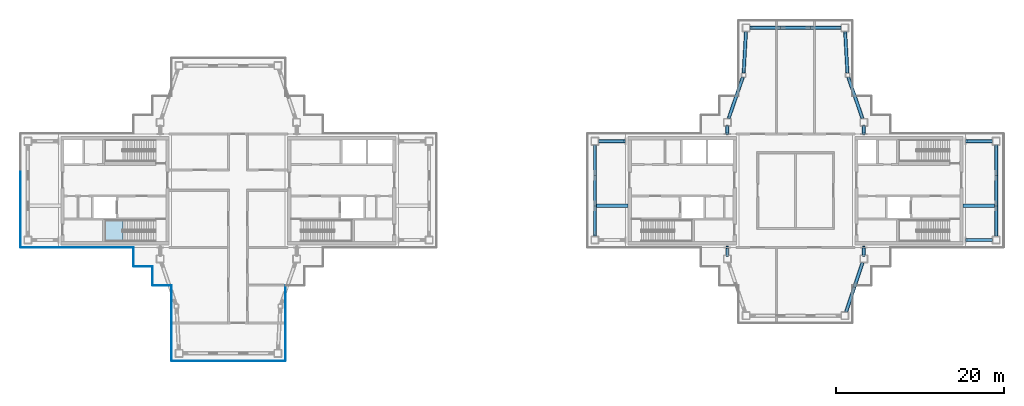
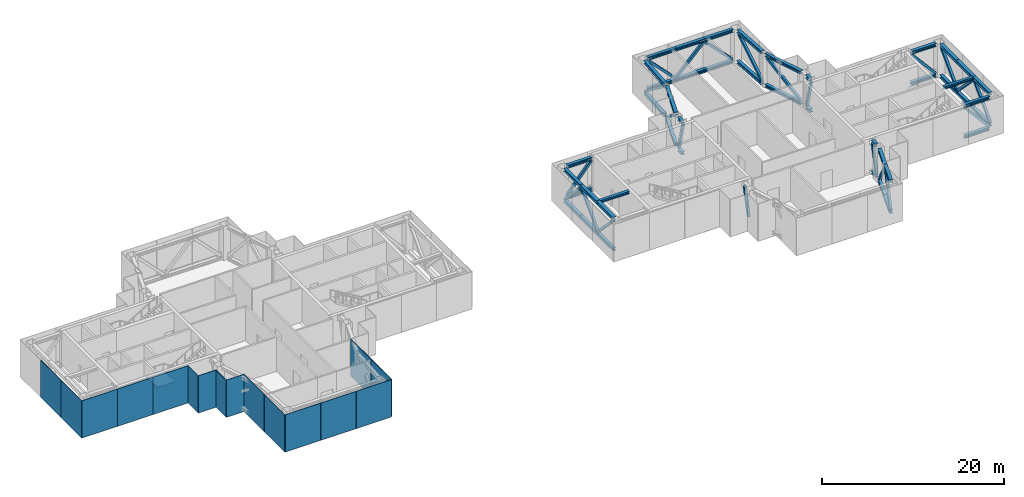
# One storey, part 4 of 18: 64 members, 16 plates, 2 beams, 1 slab, 8 elements without a shape of their own.
"""IFC4 building model written with IfcOpenShell, lengths in metres."""

from ifc_helpers import new_model, si_unit, direction, frame, origin, origin_2d, place, context, subcontext, project, spatial, polyline, rectangle, hollow_rectangle, i_section, outline, extrude, material, layer, layer_set, material_profile, profile_set, type_object, element, aggregate, save


model = new_model("IFC4")

# Units and contexts
model_context = context("Model", 3, precision=1e-05, world=origin(), true_north=direction((0.0, 1.0)))
body_context = subcontext(model_context, "Body", "Model", "MODEL_VIEW")
ifc_project = project(units=[si_unit("LENGTHUNIT", "METRE"), si_unit("AREAUNIT", "SQUARE_METRE"), si_unit("VOLUMEUNIT", "CUBIC_METRE"), si_unit("PLANEANGLEUNIT", "RADIAN"), si_unit("MASSUNIT", "GRAM", prefix="KILO")], contexts=[model_context])

# Site, building, storey
site_placement = place(None, origin())
site = spatial("IfcSite", under=ifc_project, at=site_placement, CompositionType="ELEMENT")
building_placement = place(site_placement, origin())
building = spatial("IfcBuilding", under=site, at=building_placement, Name="Shamsa Quay Exchange Towers", CompositionType="ELEMENT")
storey_placement = place(building_placement, frame((0.0, 0.0, 273.300048828125)))
storey = spatial("IfcBuildingStorey", under=building, at=storey_placement, Name="L66", CompositionType="ELEMENT", Elevation=273.300048828125)

# Members
ifc_material_1 = material(Name="Steel S355", Category="steel")
ifc_material_profile_1 = material_profile(ifc_material_1, i_section(OverallWidth=0.40625, OverallDepth=0.416015625, WebThickness=0.02978515625, FlangeThickness=0.048095703125, at=origin_2d()), Name="W14x257")
ifc_profile_set_1 = profile_set([ifc_material_profile_1], Name="Steel S355")
member_type_1 = type_object("IfcMemberType", Name="Belt chord W14x257", PredefinedType="CHORD", material=ifc_profile_set_1)
for number, where, z_axis, x_axis, name in (
    (1, (39.77490234375, -14.425048828125, 4.341796875), (0.316251520413, 0.948675379588, 0.0), (-0.948675379588, 0.316251520413, 0.0), "Belt truss chord T2 L66 5"),
    (2, (39.77490234375, -14.425048828125, 0.2080078125), (0.316251520413, 0.948675379588, 0.0), (-0.948675379588, 0.316251520413, 0.0), "Belt truss chord T2 L66 5"),
    (3, (40.75, -11.5, 4.341796875), (0.316251520413, 0.948675379588, 0.0), (-0.948675379588, 0.316251520413, 0.0), "Belt truss chord T2 L66 5"),
    (4, (40.75, -11.5, 0.2080078125), (0.316251520413, 0.948675379588, 0.0), (-0.948675379588, 0.316251520413, 0.0), "Belt truss chord T2 L66 5"),
):
    element("IfcMember", number, at=place(storey_placement, frame(where, z_axis=z_axis, x_axis=x_axis)), inside=storey, type_object=member_type_1, Name=name, PredefinedType="CHORD", context=body_context, shape_type="SweptSolid", body=[
        extrude(i_section(OverallWidth=0.40625, OverallDepth=0.416015625, WebThickness=0.02978515625, FlangeThickness=0.048095703125, at=origin_2d()), origin(), (0.0, 0.0, 1.0), 3.083251953125),
    ])
for number, where, z_axis, x_axis, name in (
    (5, (57.625, -5.425048828125, 4.341796875), (0.0, 1.0, 0.0), (-1.0, 0.0, 0.0), "Belt truss chord T2 L66 8"),
    (6, (57.625, -5.425048828125, 0.2080078125), (0.0, 1.0, 0.0), (-1.0, 0.0, 0.0), "Belt truss chord T2 L66 8"),
    (7, (57.625, -1.808349609375, 4.341796875), (0.0, 1.0, 0.0), (-1.0, 0.0, 0.0), "Belt truss chord T2 L66 8"),
    (8, (57.625, -1.808349609375, 0.2080078125), (0.0, 1.0, 0.0), (-1.0, 0.0, 0.0), "Belt truss chord T2 L66 8"),
    (9, (57.625, 1.808349609375, 4.341796875), (0.0, 1.0, 0.0), (-1.0, 0.0, 0.0), "Belt truss chord T2 L66 8"),
    (10, (57.625, 1.808349609375, 0.2080078125), (0.0, 1.0, 0.0), (-1.0, 0.0, 0.0), "Belt truss chord T2 L66 8"),
):
    element("IfcMember", number, at=place(storey_placement, frame(where, z_axis=z_axis, x_axis=x_axis)), inside=storey, type_object=member_type_1, Name=name, PredefinedType="CHORD", context=body_context, shape_type="SweptSolid", body=[
        extrude(i_section(OverallWidth=0.40625, OverallDepth=0.416015625, WebThickness=0.02978515625, FlangeThickness=0.048095703125, at=origin_2d()), origin(), (0.0, 0.0, 1.0), 3.61669921875),
    ])
for number, where, z_axis, x_axis, name in (
    (11, (41.719970703125, 8.574951171875, 4.341796875), (-0.32564688822, 0.945491461724, 0.0), (-0.945491461724, -0.32564688822, 0.0), "Belt truss chord T2 L66 11"),
    (12, (41.719970703125, 8.574951171875, 0.2080078125), (-0.32564688822, 0.945491461724, 0.0), (-0.945491461724, -0.32564688822, 0.0), "Belt truss chord T2 L66 11"),
):
    element("IfcMember", number, at=place(storey_placement, frame(where, z_axis=z_axis, x_axis=x_axis)), inside=storey, type_object=member_type_1, Name=name, PredefinedType="CHORD", context=body_context, shape_type="SweptSolid", body=[
        extrude(i_section(OverallWidth=0.40625, OverallDepth=0.416015625, WebThickness=0.02978515625, FlangeThickness=0.048095703125, at=origin_2d()), origin(), (0.0, 0.0, 1.0), 5.208984375),
    ])
for number, where, z_axis, x_axis, name in (
    (13, (39.923583984375, 14.0, 4.341796875), (-0.055483725883, 0.998459591652, 0.0), (-0.998459591652, -0.055483725883, 0.0), "Belt truss chord T2 L66 12"),
    (14, (39.923583984375, 14.0, 0.2080078125), (-0.055483725883, 0.998459591652, 0.0), (-0.998459591652, -0.055483725883, 0.0), "Belt truss chord T2 L66 12"),
):
    element("IfcMember", number, at=place(storey_placement, frame(where, z_axis=z_axis, x_axis=x_axis)), inside=storey, type_object=member_type_1, Name=name, PredefinedType="CHORD", context=body_context, shape_type="SweptSolid", body=[
        extrude(i_section(OverallWidth=0.40625, OverallDepth=0.416015625, WebThickness=0.02978515625, FlangeThickness=0.048095703125, at=origin_2d()), origin(), (0.0, 0.0, 1.0), 4.9326171875),
    ])
for number, where, z_axis, x_axis, name in (
    (15, (39.175048828125, 19.375, 4.341796875), (-1.0, 0.0, 0.0), (0.0, -1.0, 0.0), "Belt truss chord T2 L66 13"),
    (16, (39.175048828125, 19.375, 0.2080078125), (-1.0, 0.0, 0.0), (0.0, -1.0, 0.0), "Belt truss chord T2 L66 13"),
    (17, (35.558349609375, 19.375, 4.341796875), (-1.0, 0.0, 0.0), (0.0, -1.0, 0.0), "Belt truss chord T2 L66 13"),
    (18, (35.558349609375, 19.375, 0.2080078125), (-1.0, 0.0, 0.0), (0.0, -1.0, 0.0), "Belt truss chord T2 L66 13"),
    (19, (31.941650390625, 19.375, 4.341796875), (-1.0, 0.0, 0.0), (0.0, -1.0, 0.0), "Belt truss chord T2 L66 13"),
    (20, (31.941650390625, 19.375, 0.2080078125), (-1.0, 0.0, 0.0), (0.0, -1.0, 0.0), "Belt truss chord T2 L66 13"),
):
    element("IfcMember", number, at=place(storey_placement, frame(where, z_axis=z_axis, x_axis=x_axis)), inside=storey, type_object=member_type_1, Name=name, PredefinedType="CHORD", context=body_context, shape_type="SweptSolid", body=[
        extrude(i_section(OverallWidth=0.40625, OverallDepth=0.416015625, WebThickness=0.02978515625, FlangeThickness=0.048095703125, at=origin_2d()), origin(), (0.0, 0.0, 1.0), 3.61669921875),
    ])
for number, where, z_axis, x_axis, name in (
    (21, (27.85009765625, 18.925048828125, 4.341796875), (-0.055483725883, -0.998459591652, 0.0), (0.998459591652, -0.055483725883, 0.0), "Belt truss chord T2 L66 14"),
    (22, (27.85009765625, 18.925048828125, 0.2080078125), (-0.055483725883, -0.998459591652, 0.0), (0.998459591652, -0.055483725883, 0.0), "Belt truss chord T2 L66 14"),
):
    element("IfcMember", number, at=place(storey_placement, frame(where, z_axis=z_axis, x_axis=x_axis)), inside=storey, type_object=member_type_1, Name=name, PredefinedType="CHORD", context=body_context, shape_type="SweptSolid", body=[
        extrude(i_section(OverallWidth=0.40625, OverallDepth=0.416015625, WebThickness=0.02978515625, FlangeThickness=0.048095703125, at=origin_2d()), origin(), (0.0, 0.0, 1.0), 4.9326171875),
    ])
for number, where, z_axis, x_axis, name in (
    (23, (27.476318359375, 13.5, 4.341796875), (-0.32564688822, -0.945491461724, 0.0), (0.945491461724, -0.32564688822, 0.0), "Belt truss chord T2 L66 15"),
    (24, (27.476318359375, 13.5, 0.2080078125), (-0.32564688822, -0.945491461724, 0.0), (0.945491461724, -0.32564688822, 0.0), "Belt truss chord T2 L66 15"),
):
    element("IfcMember", number, at=place(storey_placement, frame(where, z_axis=z_axis, x_axis=x_axis)), inside=storey, type_object=member_type_1, Name=name, PredefinedType="CHORD", context=body_context, shape_type="SweptSolid", body=[
        extrude(i_section(OverallWidth=0.40625, OverallDepth=0.416015625, WebThickness=0.02978515625, FlangeThickness=0.048095703125, at=origin_2d()), origin(), (0.0, 0.0, 1.0), 5.208984375),
    ])
for number, where, z_axis, x_axis, name in (
    (25, (9.875, 5.425048828125, 4.341796875), (0.0, -1.0, 0.0), (1.0, 0.0, 0.0), "Belt truss chord T2 L66 18"),
    (26, (9.875, 5.425048828125, 0.2080078125), (0.0, -1.0, 0.0), (1.0, 0.0, 0.0), "Belt truss chord T2 L66 18"),
    (27, (9.875, 1.808349609375, 4.341796875), (0.0, -1.0, 0.0), (1.0, 0.0, 0.0), "Belt truss chord T2 L66 18"),
    (28, (9.875, 1.808349609375, 0.2080078125), (0.0, -1.0, 0.0), (1.0, 0.0, 0.0), "Belt truss chord T2 L66 18"),
    (29, (9.875, -1.808349609375, 4.341796875), (0.0, -1.0, 0.0), (1.0, 0.0, 0.0), "Belt truss chord T2 L66 18"),
    (30, (9.875, -1.808349609375, 0.2080078125), (0.0, -1.0, 0.0), (1.0, 0.0, 0.0), "Belt truss chord T2 L66 18"),
):
    element("IfcMember", number, at=place(storey_placement, frame(where, z_axis=z_axis, x_axis=x_axis)), inside=storey, type_object=member_type_1, Name=name, PredefinedType="CHORD", context=body_context, shape_type="SweptSolid", body=[
        extrude(i_section(OverallWidth=0.40625, OverallDepth=0.416015625, WebThickness=0.02978515625, FlangeThickness=0.048095703125, at=origin_2d()), origin(), (0.0, 0.0, 1.0), 3.61669921875),
    ])
ifc_material_profile_2 = material_profile(ifc_material_1, hollow_rectangle(XDim=0.3046875, YDim=0.3046875, WallThickness=0.0126953125, at=origin_2d()), Name="HSS12x12x1/2")
ifc_profile_set_2 = profile_set([ifc_material_profile_2], Name="Steel S355")
member_type_2 = type_object("IfcMemberType", Name="Belt diagonal HSS12x12x1/2", PredefinedType="BRACE", material=ifc_profile_set_2)
for number, where, z_axis, x_axis, name in (
    (31, (39.800537109375, -14.348388671875, 0.513427734375), (0.20184189076, 0.605579013161, 0.769762242484), (-0.948691654027, 0.316202696982, 0.0), "Belt truss diagonal T2 L66 5"),
    (32, (41.699462890625, -8.651611328125, 0.513427734375), (-0.20184189076, -0.605579013161, 0.769762242484), (0.948691654027, -0.316202696982, 0.0), "Belt truss diagonal T2 L66 5"),
):
    element("IfcMember", number, at=place(storey_placement, frame(where, z_axis=z_axis, x_axis=x_axis)), inside=storey, type_object=member_type_2, Name=name, PredefinedType="BRACE", context=body_context, shape_type="SweptSolid", body=[
        extrude(hollow_rectangle(XDim=0.3046875, YDim=0.3046875, WallThickness=0.0126953125, at=origin_2d()), origin(), (0.0, 0.0, 1.0), 4.576904296875),
    ])
for number, where, z_axis, x_axis, name in (
    (33, (57.625, -5.321533203125, 0.522216796875), (0.0, 0.697279405887, 0.716799435077), (-1.0, 0.0, 0.0), "Belt truss diagonal T2 L66 8"),
    (34, (57.625, 1.705078125, 0.522216796875), (0.0, -0.697305055235, 0.716774483324), (1.0, 0.0, 0.0), "Belt truss diagonal T2 L66 8"),
    (35, (57.625, 1.91162109375, 0.522216796875), (0.0, 0.697279405887, 0.716799435077), (-1.0, 0.0, 0.0), "Belt truss diagonal T2 L66 8"),
):
    element("IfcMember", number, at=place(storey_placement, frame(where, z_axis=z_axis, x_axis=x_axis)), inside=storey, type_object=member_type_2, Name=name, PredefinedType="BRACE", context=body_context, shape_type="SweptSolid", body=[
        extrude(hollow_rectangle(XDim=0.3046875, YDim=0.3046875, WallThickness=0.0126953125, at=origin_2d()), origin(), (0.0, 0.0, 1.0), 4.890380859375),
    ])
member_1_placement = place(storey_placement, frame((41.663330078125, 8.7392578125, 0.5400390625), z_axis=(-0.265044319858, 0.769585041637, 0.580939215581), x_axis=(-0.94549779592, -0.325628496773, 0.0)))
element("IfcMember", 36, at=member_1_placement, inside=storey, type_object=member_type_2, Name="Belt truss diagonal T2 L66 11", PredefinedType="BRACE", context=body_context, shape_type="SweptSolid", body=[
    extrude(hollow_rectangle(XDim=0.3046875, YDim=0.3046875, WallThickness=0.0126953125, at=origin_2d()), origin(), (0.0, 0.0, 1.0), 5.97265625),
])
member_2_placement = place(storey_placement, frame((39.91455078125, 14.1611328125, 0.537841796875), z_axis=(-0.044282768732, 0.797343606615, 0.601898836502), x_axis=(-0.998461330832, -0.055452419551, 0.0)))
element("IfcMember", 37, at=member_2_placement, inside=storey, type_object=member_type_2, Name="Belt truss diagonal T2 L66 12", PredefinedType="BRACE", context=body_context, shape_type="SweptSolid", body=[
    extrude(hollow_rectangle(XDim=0.3046875, YDim=0.3046875, WallThickness=0.0126953125, at=origin_2d()), origin(), (0.0, 0.0, 1.0), 5.7724609375),
])
for number, where, z_axis, x_axis, name in (
    (38, (39.071533203125, 19.375, 0.522216796875), (-0.697279405887, 0.0, 0.716799435077), (0.0, -1.0, 0.0), "Belt truss diagonal T2 L66 13"),
    (39, (32.044921875, 19.375, 0.522216796875), (0.697305055235, 0.0, 0.716774483324), (0.0, 1.0, 0.0), "Belt truss diagonal T2 L66 13"),
    (40, (31.83837890625, 19.375, 0.522216796875), (-0.697279405887, 0.0, 0.716799435077), (0.0, -1.0, 0.0), "Belt truss diagonal T2 L66 13"),
):
    element("IfcMember", number, at=place(storey_placement, frame(where, z_axis=z_axis, x_axis=x_axis)), inside=storey, type_object=member_type_2, Name=name, PredefinedType="BRACE", context=body_context, shape_type="SweptSolid", body=[
        extrude(hollow_rectangle(XDim=0.3046875, YDim=0.3046875, WallThickness=0.0126953125, at=origin_2d()), origin(), (0.0, 0.0, 1.0), 4.890380859375),
    ])
member_3_placement = place(storey_placement, frame((27.841064453125, 18.763671875, 0.537841796875), z_axis=(-0.044282768732, -0.797343606615, 0.601898836502), x_axis=(0.998461330832, -0.055452419551, 0.0)))
element("IfcMember", 41, at=member_3_placement, inside=storey, type_object=member_type_2, Name="Belt truss diagonal T2 L66 14", PredefinedType="BRACE", context=body_context, shape_type="SweptSolid", body=[
    extrude(hollow_rectangle(XDim=0.3046875, YDim=0.3046875, WallThickness=0.0126953125, at=origin_2d()), origin(), (0.0, 0.0, 1.0), 5.7724609375),
])
member_4_placement = place(storey_placement, frame((27.419677734375, 13.335693359375, 0.5400390625), z_axis=(-0.265044319858, -0.769585041637, 0.580939215581), x_axis=(0.94549779592, -0.325628496773, 0.0)))
element("IfcMember", 42, at=member_4_placement, inside=storey, type_object=member_type_2, Name="Belt truss diagonal T2 L66 15", PredefinedType="BRACE", context=body_context, shape_type="SweptSolid", body=[
    extrude(hollow_rectangle(XDim=0.3046875, YDim=0.3046875, WallThickness=0.0126953125, at=origin_2d()), origin(), (0.0, 0.0, 1.0), 5.97265625),
])
for number, where, z_axis, x_axis, name in (
    (43, (9.875, 5.321533203125, 0.522216796875), (0.0, -0.697279405887, 0.716799435077), (1.0, 0.0, 0.0), "Belt truss diagonal T2 L66 18"),
    (44, (9.875, -1.705078125, 0.522216796875), (0.0, 0.697305055235, 0.716774483324), (-1.0, 0.0, 0.0), "Belt truss diagonal T2 L66 18"),
    (45, (9.875, -1.91162109375, 0.522216796875), (0.0, -0.697279405887, 0.716799435077), (1.0, 0.0, 0.0), "Belt truss diagonal T2 L66 18"),
):
    element("IfcMember", number, at=place(storey_placement, frame(where, z_axis=z_axis, x_axis=x_axis)), inside=storey, type_object=member_type_2, Name=name, PredefinedType="BRACE", context=body_context, shape_type="SweptSolid", body=[
        extrude(hollow_rectangle(XDim=0.3046875, YDim=0.3046875, WallThickness=0.0126953125, at=origin_2d()), origin(), (0.0, 0.0, 1.0), 4.890380859375),
    ])

# Beams
ifc_material_profile_3 = material_profile(ifc_material_1, i_section(OverallWidth=0.368896484375, OverallDepth=0.356201171875, WebThickness=0.01123046875, FlangeThickness=0.01806640625, at=origin_2d()), Name="W14x90")
ifc_profile_set_3 = profile_set([ifc_material_profile_3], Name="Steel S355")
beam_type = type_object("IfcBeamType", Name="End-zone beam W14x90", PredefinedType="BEAM", material=ifc_profile_set_3)
for number, where, z_axis, x_axis, name in (
    (46, (13.800048828125, -1.800048828125, 4.371826171875), (-1.0, 0.0, 0.0), (0.0, -1.0, 0.0), "Spine beam T2 V+ end zone L66"),
    (47, (53.699951171875, -1.800048828125, 4.371826171875), (1.0, 0.0, 0.0), (0.0, 1.0, 0.0), "Spine beam T2 V- end zone L66"),
):
    element("IfcBeam", number, at=place(storey_placement, frame(where, z_axis=z_axis, x_axis=x_axis)), inside=storey, type_object=beam_type, Name=name, PredefinedType="BEAM", context=body_context, shape_type="SweptSolid", body=[
        extrude(i_section(OverallWidth=0.368896484375, OverallDepth=0.356201171875, WebThickness=0.01123046875, FlangeThickness=0.01806640625, at=origin_2d()), origin(), (0.0, 0.0, 1.0), 3.721923828125),
    ])

# Members
ifc_material_profile_4 = material_profile(ifc_material_1, i_section(OverallWidth=0.40625, OverallDepth=0.416015625, WebThickness=0.02978515625, FlangeThickness=0.048095703125, at=origin_2d()), Name="W14x257")
ifc_profile_set_4 = profile_set([ifc_material_profile_4], Name="Steel S355")
member_type_3 = type_object("IfcMemberType", Name="Outrigger chord W14x257", PredefinedType="CHORD", material=ifc_profile_set_4)
for number, where, z_axis, x_axis, name in (
    (48, (41.875, -7.675048828125, 4.341796875), (0.0, 1.0, 0.0), (-1.0, 0.0, 0.0), "Outrigger truss chord T2 L66 6"),
    (49, (41.875, -7.675048828125, 0.2080078125), (0.0, 1.0, 0.0), (-1.0, 0.0, 0.0), "Outrigger truss chord T2 L66 6"),
):
    element("IfcMember", number, at=place(storey_placement, frame(where, z_axis=z_axis, x_axis=x_axis)), inside=storey, type_object=member_type_3, Name=name, PredefinedType="CHORD", context=body_context, shape_type="SweptSolid", body=[
        extrude(i_section(OverallWidth=0.40625, OverallDepth=0.416015625, WebThickness=0.02978515625, FlangeThickness=0.048095703125, at=origin_2d()), origin(), (0.0, 0.0, 1.0), 0.925048828125),
    ])
for number, where, z_axis, x_axis, name in (
    (50, (57.175048828125, -5.875, 4.341796875), (-1.0, 0.0, 0.0), (0.0, -1.0, 0.0), "Outrigger truss chord T2 L66 7"),
    (51, (57.175048828125, -5.875, 0.2080078125), (-1.0, 0.0, 0.0), (0.0, -1.0, 0.0), "Outrigger truss chord T2 L66 7"),
    (52, (57.175048828125, 5.875, 4.341796875), (-1.0, 0.0, 0.0), (0.0, -1.0, 0.0), "Outrigger truss chord T2 L66 9"),
    (53, (57.175048828125, 5.875, 0.2080078125), (-1.0, 0.0, 0.0), (0.0, -1.0, 0.0), "Outrigger truss chord T2 L66 9"),
):
    element("IfcMember", number, at=place(storey_placement, frame(where, z_axis=z_axis, x_axis=x_axis)), inside=storey, type_object=member_type_3, Name=name, PredefinedType="CHORD", context=body_context, shape_type="SweptSolid", body=[
        extrude(i_section(OverallWidth=0.40625, OverallDepth=0.416015625, WebThickness=0.02978515625, FlangeThickness=0.048095703125, at=origin_2d()), origin(), (0.0, 0.0, 1.0), 3.175048828125),
    ])
for number, where, z_axis, x_axis, name in (
    (54, (41.875, 7.675048828125, 4.341796875), (0.0, -1.0, 0.0), (1.0, 0.0, 0.0), "Outrigger truss chord T2 L66 10"),
    (55, (41.875, 7.675048828125, 0.2080078125), (0.0, -1.0, 0.0), (1.0, 0.0, 0.0), "Outrigger truss chord T2 L66 10"),
    (56, (25.625, 7.675048828125, 4.341796875), (0.0, -1.0, 0.0), (1.0, 0.0, 0.0), "Outrigger truss chord T2 L66 16"),
    (57, (25.625, 7.675048828125, 0.2080078125), (0.0, -1.0, 0.0), (1.0, 0.0, 0.0), "Outrigger truss chord T2 L66 16"),
):
    element("IfcMember", number, at=place(storey_placement, frame(where, z_axis=z_axis, x_axis=x_axis)), inside=storey, type_object=member_type_3, Name=name, PredefinedType="CHORD", context=body_context, shape_type="SweptSolid", body=[
        extrude(i_section(OverallWidth=0.40625, OverallDepth=0.416015625, WebThickness=0.02978515625, FlangeThickness=0.048095703125, at=origin_2d()), origin(), (0.0, 0.0, 1.0), 0.925048828125),
    ])
for number, where, z_axis, x_axis, name in (
    (58, (10.324951171875, 5.875, 4.341796875), (1.0, 0.0, 0.0), (0.0, 1.0, 0.0), "Outrigger truss chord T2 L66 17"),
    (59, (10.324951171875, 5.875, 0.2080078125), (1.0, 0.0, 0.0), (0.0, 1.0, 0.0), "Outrigger truss chord T2 L66 17"),
):
    element("IfcMember", number, at=place(storey_placement, frame(where, z_axis=z_axis, x_axis=x_axis)), inside=storey, type_object=member_type_3, Name=name, PredefinedType="CHORD", context=body_context, shape_type="SweptSolid", body=[
        extrude(i_section(OverallWidth=0.40625, OverallDepth=0.416015625, WebThickness=0.02978515625, FlangeThickness=0.048095703125, at=origin_2d()), origin(), (0.0, 0.0, 1.0), 3.175048828125),
    ])
ifc_material_profile_5 = material_profile(ifc_material_1, hollow_rectangle(XDim=0.3046875, YDim=0.3046875, WallThickness=0.0126953125, at=origin_2d()), Name="HSS12x12x1/2")
ifc_profile_set_5 = profile_set([ifc_material_profile_5], Name="Steel S355")
member_type_4 = type_object("IfcMemberType", Name="Outrigger diagonal HSS12x12x1/2", PredefinedType="BRACE", material=ifc_profile_set_5)
for number, where, z_axis, x_axis, name in (
    (60, (25.625, -7.665771484375, 0.452880859375), (0.0, 0.24144941342, 0.970413407141), (-1.0, 0.0, 0.0), "Outrigger truss diagonal T2 L66 2"),
    (61, (41.875, -7.665771484375, 0.452880859375), (0.0, 0.24144941342, 0.970413407141), (-1.0, 0.0, 0.0), "Outrigger truss diagonal T2 L66 6"),
):
    element("IfcMember", number, at=place(storey_placement, frame(where, z_axis=z_axis, x_axis=x_axis)), inside=storey, type_object=member_type_4, Name=name, PredefinedType="BRACE", context=body_context, shape_type="SweptSolid", body=[
        extrude(hollow_rectangle(XDim=0.3046875, YDim=0.3046875, WallThickness=0.0126953125, at=origin_2d()), origin(), (0.0, 0.0, 1.0), 3.75537109375),
    ])
for number, where, z_axis, x_axis, name in (
    (62, (57.090576171875, -5.875, 0.51513671875), (-0.64943947107, 0.0, 0.760413291189), (0.0, -1.0, 0.0), "Outrigger truss diagonal T2 L66 7"),
    (63, (57.090576171875, 5.875, 0.51513671875), (-0.64943947107, 0.0, 0.760413291189), (0.0, -1.0, 0.0), "Outrigger truss diagonal T2 L66 9"),
):
    element("IfcMember", number, at=place(storey_placement, frame(where, z_axis=z_axis, x_axis=x_axis)), inside=storey, type_object=member_type_4, Name=name, PredefinedType="BRACE", context=body_context, shape_type="SweptSolid", body=[
        extrude(hollow_rectangle(XDim=0.3046875, YDim=0.3046875, WallThickness=0.0126953125, at=origin_2d()), origin(), (0.0, 0.0, 1.0), 4.628662109375),
    ])
for number, where, z_axis, x_axis, name in (
    (64, (41.875, 7.665771484375, 0.452880859375), (0.0, -0.24144941342, 0.970413407141), (1.0, 0.0, 0.0), "Outrigger truss diagonal T2 L66 10"),
    (65, (25.625, 7.665771484375, 0.452880859375), (0.0, -0.24144941342, 0.970413407141), (1.0, 0.0, 0.0), "Outrigger truss diagonal T2 L66 16"),
):
    element("IfcMember", number, at=place(storey_placement, frame(where, z_axis=z_axis, x_axis=x_axis)), inside=storey, type_object=member_type_4, Name=name, PredefinedType="BRACE", context=body_context, shape_type="SweptSolid", body=[
        extrude(hollow_rectangle(XDim=0.3046875, YDim=0.3046875, WallThickness=0.0126953125, at=origin_2d()), origin(), (0.0, 0.0, 1.0), 3.75537109375),
    ])
member_5_placement = place(storey_placement, frame((10.409423828125, 5.875, 0.51513671875), z_axis=(0.64943947107, 0.0, 0.760413291189), x_axis=(0.0, 1.0, 0.0)))
element("IfcMember", 66, at=member_5_placement, inside=storey, type_object=member_type_4, Name="Outrigger truss diagonal T2 L66 17", PredefinedType="BRACE", context=body_context, shape_type="SweptSolid", body=[
    extrude(hollow_rectangle(XDim=0.3046875, YDim=0.3046875, WallThickness=0.0126953125, at=origin_2d()), origin(), (0.0, 0.0, 1.0), 4.628662109375),
])

# Stair, slab
ifc_material_2 = material(Name="Concrete C40/50", Category="concrete")
stair_type = type_object("IfcStairType", Name="EXIT STAIR 30 RISERS 167 MM", PredefinedType="HALF_TURN_STAIR", material=ifc_material_2)
stair_placement = place(storey_placement, origin())
stair = element("IfcStair", 67, at=stair_placement, inside=storey, type_object=stair_type, Name="L66 Exit stair ST2", PredefinedType="HALF_TURN_STAIR")
ifc_layer_1 = layer(ifc_material_2, 0.199951171875)
ifc_layer_set_1 = layer_set([ifc_layer_1], Name="CORE STAIR LANDING")
slab_type = type_object("IfcSlabType", Name="CORE STAIR LANDING", PredefinedType="LANDING", material=ifc_layer_set_1)
slab_placement = place(storey_placement, frame((0.0, 0.0, 2.300048828125)))
slab = element("IfcSlab", 68, at=slab_placement, type_object=slab_type, Name="ST2 landing 1", PredefinedType="LANDING", context=body_context, shape_type="SweptSolid", body=[
    extrude(outline(polyline([(-46.320068359375, -3.5), (-48.5, -3.5), (-48.5, -6.050048828125), (-46.320068359375, -6.050048828125), (-46.320068359375, -3.5)])), origin(), (0.0, 0.0, 1.0), 0.199951171875),
])
aggregate(stair, [slab])

# Curtain wall, plates
ifc_material_3 = material(Name="Aluminium EN AW-6063 T6, black anodised", Category="aluminium")
ifc_layer_2 = layer(ifc_material_3, 0.320068359375)
ifc_layer_set_2 = layer_set([ifc_layer_2], Name="CW-7 BELT-LEVEL LOUVRE PANEL WALL")
curtain_wall_type = type_object("IfcCurtainWallType", Name="CW-7 BELT-LEVEL LOUVRE PANEL WALL", PredefinedType="NOTDEFINED", material=ifc_layer_set_2)
curtain_wall_1_placement = place(storey_placement, origin())
curtain_wall_1 = element("IfcCurtainWall", 69, at=curtain_wall_1_placement, inside=storey, type_object=curtain_wall_type, Name="CW7 T1-FLK-V-W L66", PredefinedType="NOTDEFINED")
ifc_material_4 = material(Name="Aluminium louvre panel, black anodised, with insulated fire-rated backing", Category="aluminium")
ifc_layer_3 = layer(ifc_material_4, 0.06005859375)
ifc_layer_set_3 = layer_set([ifc_layer_3], Name="CW-7 LOUVRE PANEL 60")
plate_type = type_object("IfcPlateType", Name="CW-7 LOUVRE PANEL 60", PredefinedType="CURTAIN_PANEL", material=ifc_layer_set_3)
plate_1_placement = place(storey_placement, frame((-40.530029296875, -13.5439453125, -0.35009765625), z_axis=(0.0, 0.0, 1.0), x_axis=(0.0, -1.0, 0.0)))
plate_1 = element("IfcPlate", 70, at=plate_1_placement, type_object=plate_type, Name="CW7 glass panel", PredefinedType="CURTAIN_PANEL", context=body_context, shape_type="SweptSolid", body=[
    extrude(rectangle(XDim=4.464111328125, YDim=0.06005859375, at=origin_2d()), origin(), (0.0, 0.0, 1.0), 5.0),
])
plate_2_placement = place(storey_placement, frame((-40.530029296875, -18.01806640625, -0.35009765625), z_axis=(0.0, 0.0, 1.0), x_axis=(0.0, -1.0, 0.0)))
plate_2 = element("IfcPlate", 71, at=plate_2_placement, type_object=plate_type, Name="CW7 glass panel", PredefinedType="CURTAIN_PANEL", context=body_context, shape_type="SweptSolid", body=[
    extrude(rectangle(XDim=4.464111328125, YDim=0.06005859375, at=origin_2d()), origin(), (0.0, 0.0, 1.0), 5.0),
])
aggregate(curtain_wall_1, [plate_1, plate_2])

curtain_wall_2_placement = place(storey_placement, origin())
curtain_wall_2 = element("IfcCurtainWall", 72, at=curtain_wall_2_placement, inside=storey, type_object=curtain_wall_type, Name="CW7 T1-END-V- L66", PredefinedType="NOTDEFINED")
plate_3_placement = place(storey_placement, frame((-38.25244140625, -20.280029296875, -0.35009765625)))
plate_3 = element("IfcPlate", 73, at=plate_3_placement, type_object=plate_type, Name="CW7 glass panel", PredefinedType="CURTAIN_PANEL", context=body_context, shape_type="SweptSolid", body=[
    extrude(rectangle(XDim=4.4951171875, YDim=0.06005859375, at=origin_2d()), origin(), (0.0, 0.0, 1.0), 5.0),
])
plate_4_placement = place(storey_placement, frame((-33.75, -20.280029296875, -0.35009765625)))
plate_4 = element("IfcPlate", 74, at=plate_4_placement, type_object=plate_type, Name="CW7 glass panel", PredefinedType="CURTAIN_PANEL", context=body_context, shape_type="SweptSolid", body=[
    extrude(rectangle(XDim=4.489990234375, YDim=0.06005859375, at=origin_2d()), origin(), (0.0, 0.0, 1.0), 5.0),
])
plate_5_placement = place(storey_placement, frame((-29.24755859375, -20.280029296875, -0.35009765625)))
plate_5 = element("IfcPlate", 75, at=plate_5_placement, type_object=plate_type, Name="CW7 glass panel", PredefinedType="CURTAIN_PANEL", context=body_context, shape_type="SweptSolid", body=[
    extrude(rectangle(XDim=4.4951171875, YDim=0.06005859375, at=origin_2d()), origin(), (0.0, 0.0, 1.0), 5.0),
])
aggregate(curtain_wall_2, [plate_3, plate_4, plate_5])

curtain_wall_3_placement = place(storey_placement, origin())
curtain_wall_3 = element("IfcCurtainWall", 76, at=curtain_wall_3_placement, inside=storey, type_object=curtain_wall_type, Name="CW7 T1-FLK-V-E L66", PredefinedType="NOTDEFINED")
plate_6_placement = place(storey_placement, frame((-26.969970703125, -18.00244140625, -0.35009765625), z_axis=(0.0, 0.0, 1.0), x_axis=(0.0, 1.0, 0.0)))
plate_6 = element("IfcPlate", 77, at=plate_6_placement, type_object=plate_type, Name="CW7 glass panel", PredefinedType="CURTAIN_PANEL", context=body_context, shape_type="SweptSolid", body=[
    extrude(rectangle(XDim=4.4951171875, YDim=0.06005859375, at=origin_2d()), origin(), (0.0, 0.0, 1.0), 5.0),
])
plate_7_placement = place(storey_placement, frame((-26.969970703125, -13.49755859375, -0.35009765625), z_axis=(0.0, 0.0, 1.0), x_axis=(0.0, 1.0, 0.0)))
plate_7 = element("IfcPlate", 78, at=plate_7_placement, type_object=plate_type, Name="CW7 glass panel", PredefinedType="CURTAIN_PANEL", context=body_context, shape_type="SweptSolid", body=[
    extrude(rectangle(XDim=4.4951171875, YDim=0.06005859375, at=origin_2d()), origin(), (0.0, 0.0, 1.0), 5.0),
])
aggregate(curtain_wall_3, [plate_6, plate_7])

curtain_wall_4_placement = place(storey_placement, origin())
curtain_wall_4 = element("IfcCurtainWall", 79, at=curtain_wall_4_placement, inside=storey, type_object=curtain_wall_type, Name="CW7 T1-END-U- L66", PredefinedType="NOTDEFINED")
plate_8_placement = place(storey_placement, frame((-58.530029296875, 0.0, -0.35009765625), z_axis=(0.0, 0.0, 1.0), x_axis=(0.0, -1.0, 0.0)))
plate_8 = element("IfcPlate", 80, at=plate_8_placement, type_object=plate_type, Name="CW7 glass panel", PredefinedType="CURTAIN_PANEL", context=body_context, shape_type="SweptSolid", body=[
    extrude(rectangle(XDim=4.489990234375, YDim=0.06005859375, at=origin_2d()), origin(), (0.0, 0.0, 1.0), 5.0),
])
plate_9_placement = place(storey_placement, frame((-58.530029296875, -4.50244140625, -0.35009765625), z_axis=(0.0, 0.0, 1.0), x_axis=(0.0, -1.0, 0.0)))
plate_9 = element("IfcPlate", 81, at=plate_9_placement, type_object=plate_type, Name="CW7 glass panel", PredefinedType="CURTAIN_PANEL", context=body_context, shape_type="SweptSolid", body=[
    extrude(rectangle(XDim=4.4951171875, YDim=0.06005859375, at=origin_2d()), origin(), (0.0, 0.0, 1.0), 5.0),
])
aggregate(curtain_wall_4, [plate_8, plate_9])

# Curtain wall, plate
curtain_wall_5_placement = place(storey_placement, origin())
curtain_wall_5 = element("IfcCurtainWall", 82, at=curtain_wall_5_placement, inside=storey, type_object=curtain_wall_type, Name="CW7 T1-FLK-U-S L66", PredefinedType="NOTDEFINED")
plate_10_placement = place(storey_placement, frame((-56.25, -6.780029296875, -0.35009765625)))
plate_10 = element("IfcPlate", 83, at=plate_10_placement, type_object=plate_type, Name="CW7 glass panel", PredefinedType="CURTAIN_PANEL", context=body_context, shape_type="SweptSolid", body=[
    extrude(rectangle(XDim=4.5, YDim=0.06005859375, at=origin_2d()), origin(), (0.0, 0.0, 1.0), 5.0),
])
aggregate(curtain_wall_5, [plate_10])

# Curtain wall, plates
curtain_wall_6_placement = place(storey_placement, origin())
curtain_wall_6 = element("IfcCurtainWall", 84, at=curtain_wall_6_placement, inside=storey, type_object=curtain_wall_type, Name="CW7 T1-FLK-U-S L66", PredefinedType="NOTDEFINED")
plate_11_placement = place(storey_placement, frame((-51.75244140625, -6.780029296875, -0.35009765625)))
plate_11 = element("IfcPlate", 85, at=plate_11_placement, type_object=plate_type, Name="CW7 glass panel", PredefinedType="CURTAIN_PANEL", context=body_context, shape_type="SweptSolid", body=[
    extrude(rectangle(XDim=4.4951171875, YDim=0.06005859375, at=origin_2d()), origin(), (0.0, 0.0, 1.0), 5.0),
])
plate_12_placement = place(storey_placement, frame((-47.24755859375, -6.780029296875, -0.35009765625)))
plate_12 = element("IfcPlate", 86, at=plate_12_placement, type_object=plate_type, Name="CW7 glass panel", PredefinedType="CURTAIN_PANEL", context=body_context, shape_type="SweptSolid", body=[
    extrude(rectangle(XDim=4.4951171875, YDim=0.06005859375, at=origin_2d()), origin(), (0.0, 0.0, 1.0), 5.0),
])
aggregate(curtain_wall_6, [plate_11, plate_12])

curtain_wall_7_placement = place(storey_placement, origin())
curtain_wall_7 = element("IfcCurtainWall", 87, at=curtain_wall_7_placement, inside=storey, type_object=curtain_wall_type, Name="CW7 PKWS L66", PredefinedType="NOTDEFINED")
plate_13_placement = place(storey_placement, frame((-42.780029296875, -10.156005859375, -0.35009765625), z_axis=(0.0, 0.0, 1.0), x_axis=(0.0, -1.0, 0.0)))
plate_13 = element("IfcPlate", 88, at=plate_13_placement, type_object=plate_type, Name="CW7 glass panel", PredefinedType="CURTAIN_PANEL", context=body_context, shape_type="SweptSolid", body=[
    extrude(rectangle(XDim=2.18798828125, YDim=0.06005859375, at=origin_2d()), origin(), (0.0, 0.0, 1.0), 5.0),
])
plate_14_placement = place(storey_placement, frame((-41.625, -11.280029296875, -0.35009765625)))
plate_14 = element("IfcPlate", 89, at=plate_14_placement, type_object=plate_type, Name="CW7 glass panel", PredefinedType="CURTAIN_PANEL", context=body_context, shape_type="SweptSolid", body=[
    extrude(rectangle(XDim=2.25, YDim=0.06005859375, at=origin_2d()), origin(), (0.0, 0.0, 1.0), 5.0),
])
plate_15_placement = place(storey_placement, frame((-45.030029296875, -7.906005859375, -0.35009765625), z_axis=(0.0, 0.0, 1.0), x_axis=(0.0, -1.0, 0.0)))
plate_15 = element("IfcPlate", 90, at=plate_15_placement, type_object=plate_type, Name="CW7 glass panel", PredefinedType="CURTAIN_PANEL", context=body_context, shape_type="SweptSolid", body=[
    extrude(rectangle(XDim=2.18798828125, YDim=0.06005859375, at=origin_2d()), origin(), (0.0, 0.0, 1.0), 5.0),
])
plate_16_placement = place(storey_placement, frame((-43.875, -9.030029296875, -0.35009765625)))
plate_16 = element("IfcPlate", 91, at=plate_16_placement, type_object=plate_type, Name="CW7 glass panel", PredefinedType="CURTAIN_PANEL", context=body_context, shape_type="SweptSolid", body=[
    extrude(rectangle(XDim=2.25, YDim=0.06005859375, at=origin_2d()), origin(), (0.0, 0.0, 1.0), 5.0),
])
aggregate(curtain_wall_7, [plate_13, plate_14, plate_15, plate_16])

save(model, "model.ifc")
